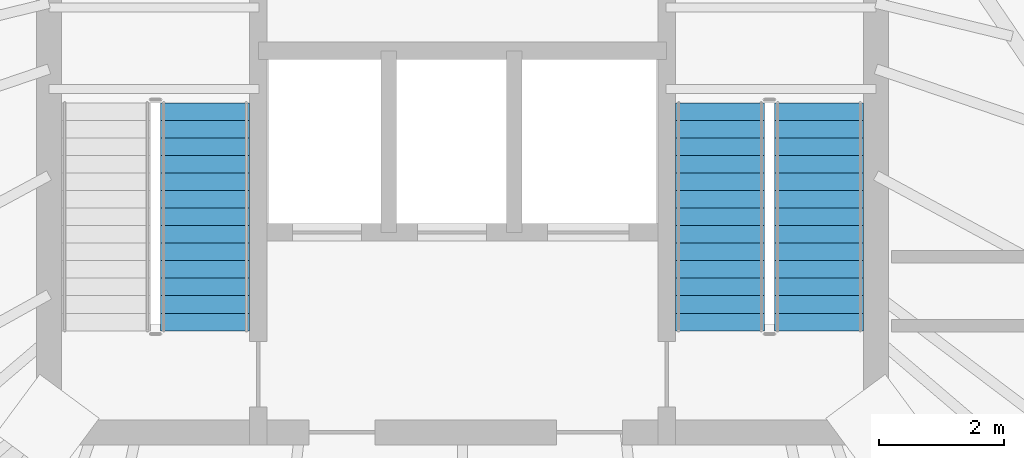
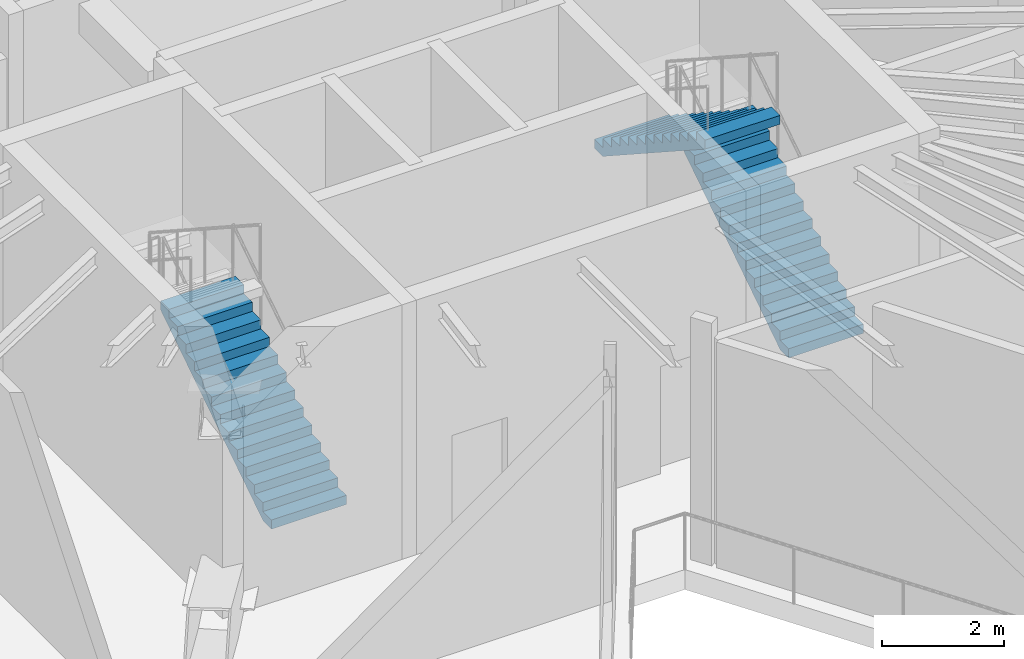
# One storey, part 7 of 10: 3 stair flights, 2 elements without a shape of their own.
"""IFC4 building model written with IfcOpenShell, lengths in metres."""

from ifc_helpers import new_model, si_unit, direction, frame, origin, place, context, subcontext, project, spatial, polyline, outline, extrude, material, type_object, element, aggregate, save


model = new_model("IFC4")

# Units and contexts
model_context = context("Model", 3, precision=1e-05, world=origin(), true_north=direction((0.0, 1.0)))
body_context = subcontext(model_context, "Body", "Model", "MODEL_VIEW")
ifc_project = project(units=[si_unit("LENGTHUNIT", "METRE"), si_unit("AREAUNIT", "SQUARE_METRE"), si_unit("VOLUMEUNIT", "CUBIC_METRE"), si_unit("PLANEANGLEUNIT", "RADIAN"), si_unit("MASSUNIT", "GRAM", prefix="KILO")], contexts=[model_context])

# Site, building, storey
site_placement = place(None, origin())
site = spatial("IfcSite", under=ifc_project, at=site_placement, CompositionType="ELEMENT")
building_placement = place(site_placement, origin())
building = spatial("IfcBuilding", under=site, at=building_placement, Name="Orvanel Arch Residences", CompositionType="ELEMENT")
storey_placement = place(building_placement, frame((0.0, 0.0, 191.300048828125)))
storey = spatial("IfcBuildingStorey", under=building, at=storey_placement, Name="L54", CompositionType="ELEMENT", Elevation=191.300048828125)

# Stair, stair flight
ifc_material = material(Name="Precast concrete N50 (50 MPa)", Category="concrete")
stair_type = type_object("IfcStairType", Name="STR-DOG-181", PredefinedType="USERDEFINED", material=ifc_material)
stair_1_placement = place(storey_placement, origin())
stair_1 = element("IfcStair", 1, at=stair_1_placement, inside=storey, type_object=stair_type, Name="L54 Fire-Isolated Core Exit Stair 1", ObjectType="TWO_RETURN_STAIR", PredefinedType="USERDEFINED")
stair_flight_type_1 = type_object("IfcStairFlightType", Name="SFL-C1-181", PredefinedType="STRAIGHT", material=ifc_material)
stair_flight_1_placement = place(storey_placement, frame((28.889892578125, 28.320068359375, 0.0), z_axis=(0.0, 0.0, 1.0), x_axis=(0.0, 1.0, 0.0)))
stair_flight_1 = element("IfcStairFlight", 2, at=stair_flight_1_placement, type_object=stair_flight_type_1, Name="ST-1 flight 1", NumberOfRisers=14, NumberOfTreads=13, PredefinedType="STRAIGHT", RiserHeight=0.182142857, TreadLength=0.28, context=body_context, shape_type="SweptSolid", body=[
    extrude(outline(polyline([(0.0, 0.0), (0.0, 0.18212890625), (0.280029296875, 0.18212890625), (0.280029296875, 0.3642578125), (0.56005859375, 0.3642578125), (0.56005859375, 0.54638671875), (0.840087890625, 0.54638671875), (0.840087890625, 0.728515625), (1.1201171875, 0.728515625), (1.1201171875, 0.91064453125), (1.39990234375, 0.91064453125), (1.39990234375, 1.0927734375), (1.679931640625, 1.0927734375), (1.679931640625, 1.27490234375), (1.9599609375, 1.27490234375), (1.9599609375, 1.45703125), (2.239990234375, 1.45703125), (2.239990234375, 1.639404296875), (2.52001953125, 1.639404296875), (2.52001953125, 1.821533203125), (2.800048828125, 1.821533203125), (2.800048828125, 2.003662109375), (3.080078125, 2.003662109375), (3.080078125, 2.185791015625), (3.360107421875, 2.185791015625), (3.360107421875, 2.367919921875), (3.639892578125, 2.367919921875), (3.639892578125, 2.550048828125), (3.639892578125, 2.18896484375), (0.27490234375, 0.0), (0.0, 0.0)])), frame((0.0, 0.7099609375, 0.0), z_axis=(0.0, -1.0, 0.0), x_axis=(1.0, 0.0, 0.0)), (0.0, 0.0, 1.0), 1.419921875),
])
aggregate(stair_1, [stair_flight_1])

# Stair, stair flights
stair_2_placement = place(storey_placement, origin())
stair_2 = element("IfcStair", 3, at=stair_2_placement, inside=storey, type_object=stair_type, Name="L54 Fire-Isolated Core Exit Stair 2", ObjectType="TWO_RETURN_STAIR", PredefinedType="USERDEFINED")
stair_flight_type_2 = type_object("IfcStairFlightType", Name="SFL-C2-181", PredefinedType="STRAIGHT", material=ifc_material)
stair_flight_2_placement = place(storey_placement, frame((38.68994140625, 28.320068359375, 0.0), z_axis=(0.0, 0.0, 1.0), x_axis=(0.0, 1.0, 0.0)))
stair_flight_2 = element("IfcStairFlight", 4, at=stair_flight_2_placement, type_object=stair_flight_type_2, Name="ST-2 flight 1", NumberOfRisers=14, NumberOfTreads=13, PredefinedType="STRAIGHT", RiserHeight=0.182142857, TreadLength=0.28, context=body_context, shape_type="SweptSolid", body=[
    extrude(outline(polyline([(0.0, 0.0), (0.0, 0.18212890625), (0.280029296875, 0.18212890625), (0.280029296875, 0.3642578125), (0.56005859375, 0.3642578125), (0.56005859375, 0.54638671875), (0.840087890625, 0.54638671875), (0.840087890625, 0.728515625), (1.1201171875, 0.728515625), (1.1201171875, 0.91064453125), (1.39990234375, 0.91064453125), (1.39990234375, 1.0927734375), (1.679931640625, 1.0927734375), (1.679931640625, 1.27490234375), (1.9599609375, 1.27490234375), (1.9599609375, 1.45703125), (2.239990234375, 1.45703125), (2.239990234375, 1.639404296875), (2.52001953125, 1.639404296875), (2.52001953125, 1.821533203125), (2.800048828125, 1.821533203125), (2.800048828125, 2.003662109375), (3.080078125, 2.003662109375), (3.080078125, 2.185791015625), (3.360107421875, 2.185791015625), (3.360107421875, 2.367919921875), (3.639892578125, 2.367919921875), (3.639892578125, 2.550048828125), (3.639892578125, 2.18896484375), (0.27490234375, 0.0), (0.0, 0.0)])), frame((0.0, 0.7099609375, 0.0), z_axis=(0.0, -1.0, 0.0), x_axis=(1.0, 0.0, 0.0)), (0.0, 0.0, 1.0), 1.419921875),
])
stair_flight_3_placement = place(storey_placement, frame((37.110107421875, 31.9599609375, 2.550048828125), z_axis=(0.0, 0.0, 1.0), x_axis=(0.0, -1.0, 0.0)))
stair_flight_3 = element("IfcStairFlight", 5, at=stair_flight_3_placement, type_object=stair_flight_type_2, Name="ST-2 flight 2", NumberOfRisers=14, NumberOfTreads=13, PredefinedType="STRAIGHT", RiserHeight=0.182142857, TreadLength=0.28, context=body_context, shape_type="SweptSolid", body=[
    extrude(outline(polyline([(0.0, 0.0), (0.0, 0.18212890625), (0.280029296875, 0.18212890625), (0.280029296875, 0.3642578125), (0.56005859375, 0.3642578125), (0.56005859375, 0.54638671875), (0.840087890625, 0.54638671875), (0.840087890625, 0.728515625), (1.1201171875, 0.728515625), (1.1201171875, 0.91064453125), (1.39990234375, 0.91064453125), (1.39990234375, 1.0927734375), (1.679931640625, 1.0927734375), (1.679931640625, 1.27490234375), (1.9599609375, 1.27490234375), (1.9599609375, 1.45703125), (2.239990234375, 1.45703125), (2.239990234375, 1.639404296875), (2.52001953125, 1.639404296875), (2.52001953125, 1.821533203125), (2.800048828125, 1.821533203125), (2.800048828125, 2.003662109375), (3.080078125, 2.003662109375), (3.080078125, 2.185791015625), (3.360107421875, 2.185791015625), (3.360107421875, 2.367919921875), (3.639892578125, 2.367919921875), (3.639892578125, 2.550048828125), (3.639892578125, 2.18896484375), (0.27490234375, 0.0), (0.0, 0.0)])), frame((0.0, 0.7099609375, 0.0), z_axis=(0.0, -1.0, 0.0), x_axis=(1.0, 0.0, 0.0)), (0.0, 0.0, 1.0), 1.419921875),
])
aggregate(stair_2, [stair_flight_2, stair_flight_3])

save(model, "model.ifc")
